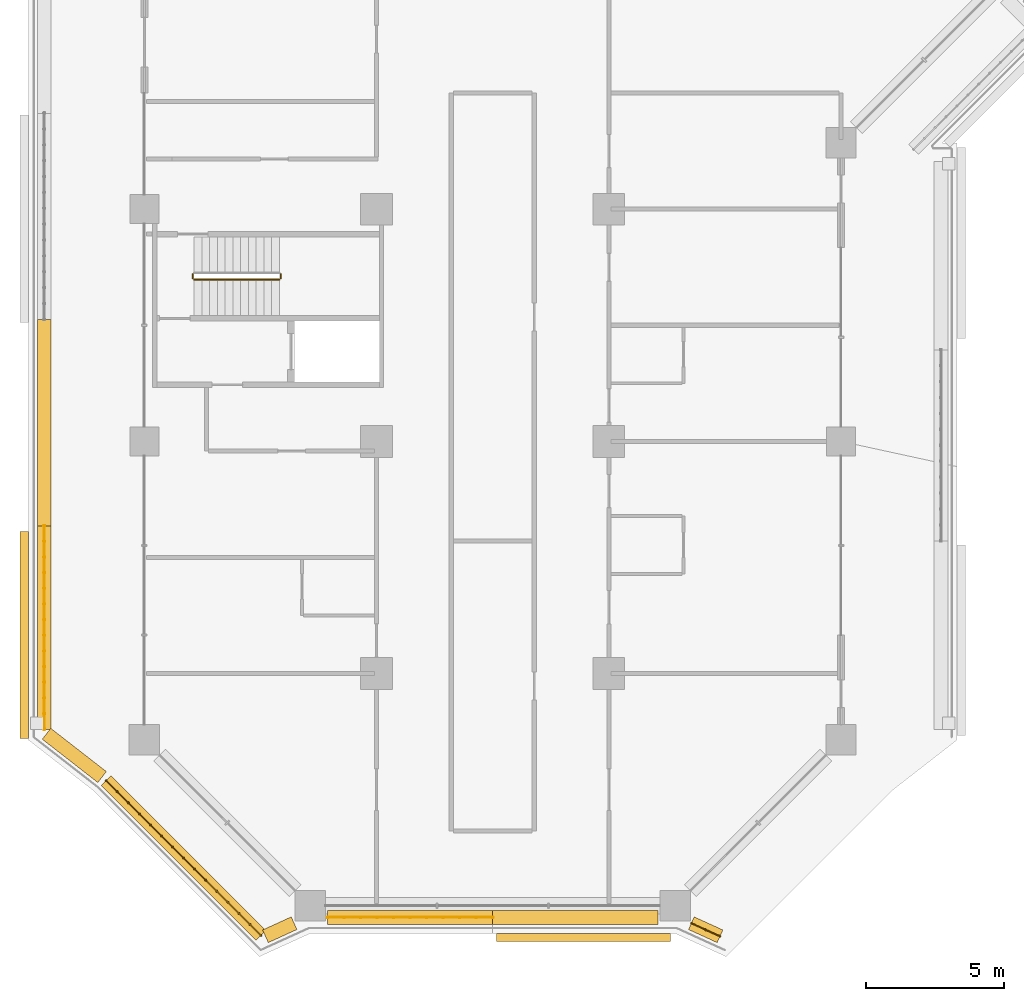
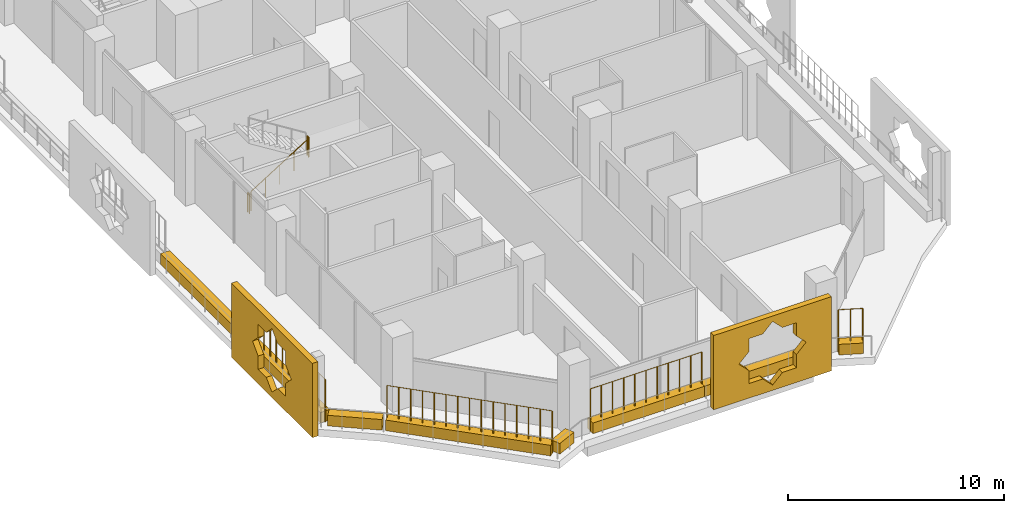
# One storey, part 19 of 25: 10 coverings, 7 railings.
"""IFC4 building model written with IfcOpenShell, lengths in metres."""

from ifc_helpers import new_model, si_unit, direction, frame, origin, origin_2d, place, context, subcontext, project, spatial, polyline, rectangle, circle, outline, extrude, material, material_profile, profile_set, type_object, element, save


model = new_model("IFC4")

# Units and contexts
model_context = context("Model", 3, precision=1e-05, world=origin(), true_north=direction((0.0, 1.0)))
body_context = subcontext(model_context, "Body", "Model", "MODEL_VIEW")
ifc_project = project(units=[si_unit("LENGTHUNIT", "METRE"), si_unit("AREAUNIT", "SQUARE_METRE"), si_unit("VOLUMEUNIT", "CUBIC_METRE"), si_unit("PLANEANGLEUNIT", "RADIAN"), si_unit("MASSUNIT", "GRAM", prefix="KILO")], contexts=[model_context])

# Site, building, storey
site_placement = place(None, origin())
site = spatial("IfcSite", under=ifc_project, at=site_placement, CompositionType="ELEMENT")
building_placement = place(site_placement, origin())
building = spatial("IfcBuilding", under=site, at=building_placement, Name="Kawkab Arch Medical Tower", CompositionType="ELEMENT")
storey_placement = place(building_placement, frame((0.0, 0.0, 140.800048828125)))
storey = spatial("IfcBuildingStorey", under=building, at=storey_placement, Name="L32", CompositionType="ELEMENT", Elevation=140.800048828125)

# Coverings
ifc_material_1 = material(Name="Bronze anodised aluminium mashrabiya panel, eight-point star pattern", Category="aluminium")
ifc_material_profile_1 = material_profile(ifc_material_1, outline(polyline([(-3.14990234375, -2.10009765625), (3.14990234375, -2.10009765625), (3.14990234375, 2.10009765625), (-3.14990234375, 2.10009765625), (-3.14990234375, -2.10009765625)]), holes=[polyline([(1.800048828125, 0.0), (1.272705078125, 0.527099609375), (1.272705078125, 1.272705078125), (0.527099609375, 1.272705078125), (0.0, 1.800048828125), (-0.527099609375, 1.272705078125), (-1.272705078125, 1.272705078125), (-1.272705078125, 0.527099609375), (-1.800048828125, 0.0), (-1.272705078125, -0.527099609375), (-1.272705078125, -1.272705078125), (-0.527099609375, -1.272705078125), (0.0, -1.800048828125), (0.527099609375, -1.272705078125), (1.272705078125, -1.272705078125), (1.272705078125, -0.527099609375), (1.800048828125, 0.0)])]), Name="Mashrabiya panel 6300x4200")
ifc_profile_set_1 = profile_set([ifc_material_profile_1], Name="Bronze anodised aluminium mashrabiya panel, eight-point star pattern")
covering_type_1 = type_object("IfcCoveringType", Name="Mashrabiya panel 6300 x 4200", PredefinedType="USERDEFINED", material=ifc_profile_set_1)
covering_1_placement = place(storey_placement, frame((15.881103515625, -59.800048828125, 1.699951171875), z_axis=(0.0, -1.0, 0.0), x_axis=(1.0, 0.0, 0.0)))
element("IfcCovering", 1, at=covering_1_placement, inside=storey, type_object=covering_type_1, Name="Mashrabiya panel L32.LOG-01-01.1", ObjectType="SCREEN", PredefinedType="USERDEFINED", context=body_context, shape_type="SweptSolid", body=[
    extrude(outline(polyline([(-3.14990234375, -2.10009765625), (3.14990234375, -2.10009765625), (3.14990234375, 2.10009765625), (-3.14990234375, 2.10009765625), (-3.14990234375, -2.10009765625)]), holes=[polyline([(1.800048828125, 0.0), (1.272705078125, 0.527099609375), (1.272705078125, 1.272705078125), (0.527099609375, 1.272705078125), (0.0, 1.800048828125), (-0.527099609375, 1.272705078125), (-1.272705078125, 1.272705078125), (-1.272705078125, 0.527099609375), (-1.800048828125, 0.0), (-1.272705078125, -0.527099609375), (-1.272705078125, -1.272705078125), (-0.527099609375, -1.272705078125), (0.0, -1.800048828125), (0.527099609375, -1.272705078125), (1.272705078125, -1.272705078125), (1.272705078125, -0.527099609375), (1.800048828125, 0.0)])]), origin(), (0.0, 0.0, 1.0), 0.300048828125),
])
ifc_material_2 = material(Name="Bronze anodised aluminium mashrabiya panel, eight-point star pattern", Category="aluminium")
ifc_material_profile_2 = material_profile(ifc_material_2, outline(polyline([(-3.75, -2.10009765625), (3.75, -2.10009765625), (3.75, 2.10009765625), (-3.75, 2.10009765625), (-3.75, -2.10009765625)]), holes=[polyline([(1.800048828125, 0.0), (1.272705078125, 0.527099609375), (1.272705078125, 1.272705078125), (0.527099609375, 1.272705078125), (0.0, 1.800048828125), (-0.527099609375, 1.272705078125), (-1.272705078125, 1.272705078125), (-1.272705078125, 0.527099609375), (-1.800048828125, 0.0), (-1.272705078125, -0.527099609375), (-1.272705078125, -1.272705078125), (-0.527099609375, -1.272705078125), (0.0, -1.800048828125), (0.527099609375, -1.272705078125), (1.272705078125, -1.272705078125), (1.272705078125, -0.527099609375), (1.800048828125, 0.0)])]), Name="Mashrabiya panel 7500x4200")
ifc_profile_set_2 = profile_set([ifc_material_profile_2], Name="Bronze anodised aluminium mashrabiya panel, eight-point star pattern")
covering_type_2 = type_object("IfcCoveringType", Name="Mashrabiya panel 7500 x 4200", PredefinedType="USERDEFINED", material=ifc_profile_set_2)
covering_2_placement = place(storey_placement, frame((-4.199951171875, -49.00439453125, 1.699951171875), z_axis=(-1.0, 0.0, 0.0), x_axis=(0.0, -1.0, 0.0)))
element("IfcCovering", 2, at=covering_2_placement, inside=storey, type_object=covering_type_2, Name="Mashrabiya panel L32.LOG-01-01.2", ObjectType="SCREEN", PredefinedType="USERDEFINED", context=body_context, shape_type="SweptSolid", body=[
    extrude(outline(polyline([(-3.75, -2.10009765625), (3.75, -2.10009765625), (3.75, 2.10009765625), (-3.75, 2.10009765625), (-3.75, -2.10009765625)]), holes=[polyline([(1.800048828125, 0.0), (1.272705078125, 0.527099609375), (1.272705078125, 1.272705078125), (0.527099609375, 1.272705078125), (0.0, 1.800048828125), (-0.527099609375, 1.272705078125), (-1.272705078125, 1.272705078125), (-1.272705078125, 0.527099609375), (-1.800048828125, 0.0), (-1.272705078125, -0.527099609375), (-1.272705078125, -1.272705078125), (-0.527099609375, -1.272705078125), (0.0, -1.800048828125), (0.527099609375, -1.272705078125), (1.272705078125, -1.272705078125), (1.272705078125, -0.527099609375), (1.800048828125, 0.0)])]), origin(), (0.0, 0.0, 1.0), 0.300048828125),
])
ifc_material_3 = material(Name="Planting soil in a precast trough", Category="concrete")
ifc_material_profile_3 = material_profile(ifc_material_3, rectangle(XDim=0.5, YDim=0.60009765625, at=origin_2d()), Name="Trough 500x600")
ifc_profile_set_3 = profile_set([ifc_material_profile_3], Name="Planting soil in a precast trough")
covering_type_3 = type_object("IfcCoveringType", Name="Planter trough 500 x 600", PredefinedType="USERDEFINED", material=ifc_profile_set_3)
covering_3_placement = place(storey_placement, frame((20.821044921875, -59.902099609375, 0.300048828125), z_axis=(-0.909821891123, 0.414998947508, 0.0), x_axis=(-0.414998947508, -0.909821891123, 0.0)))
element("IfcCovering", 3, at=covering_3_placement, inside=storey, type_object=covering_type_3, Name="Planter L32.LOG-01-01.1", ObjectType="PLANTER", PredefinedType="USERDEFINED", context=body_context, shape_type="SweptSolid", body=[
    extrude(rectangle(XDim=0.5, YDim=0.60009765625, at=origin_2d()), origin(), (0.0, 0.0, 1.0), 1.1376953125),
])
covering_4_placement = place(storey_placement, frame((18.570068359375, -59.219970703125, 0.300048828125), z_axis=(-1.0, 0.0, 0.0), x_axis=(0.0, -1.0, 0.0)))
element("IfcCovering", 4, at=covering_4_placement, inside=storey, type_object=covering_type_3, Name="Planter L32.LOG-01-01.2", ObjectType="PLANTER", PredefinedType="USERDEFINED", context=body_context, shape_type="SweptSolid", body=[
    extrude(rectangle(XDim=0.5, YDim=0.60009765625, at=origin_2d()), origin(), (0.0, 0.0, 1.0), 5.969970703125),
])
covering_5_placement = place(storey_placement, frame((12.60009765625, -59.219970703125, 0.300048828125), z_axis=(-1.0, 0.0, 0.0), x_axis=(0.0, -1.0, 0.0)))
element("IfcCovering", 5, at=covering_5_placement, inside=storey, type_object=covering_type_3, Name="Planter L32.LOG-01-01.3", ObjectType="PLANTER", PredefinedType="USERDEFINED", context=body_context, shape_type="SweptSolid", body=[
    extrude(rectangle(XDim=0.5, YDim=0.60009765625, at=origin_2d()), origin(), (0.0, 0.0, 1.0), 5.97021484375),
])
covering_6_placement = place(storey_placement, frame((5.4140625, -59.429931640625, 0.300048828125), z_axis=(-0.909821891123, -0.414998947508, 0.0), x_axis=(0.414998947508, -0.909821891123, 0.0)))
element("IfcCovering", 6, at=covering_6_placement, inside=storey, type_object=covering_type_3, Name="Planter L32.LOG-01-01.4", ObjectType="PLANTER", PredefinedType="USERDEFINED", context=body_context, shape_type="SweptSolid", body=[
    extrude(rectangle(XDim=0.5, YDim=0.60009765625, at=origin_2d()), origin(), (0.0, 0.0, 1.0), 1.1376953125),
])
covering_7_placement = place(storey_placement, frame((4.217041015625, -59.873046875, 0.300048828125), z_axis=(-0.707106781187, 0.707106781187, 0.0), x_axis=(-0.707106781187, -0.707106781187, 0.0)))
element("IfcCovering", 7, at=covering_7_placement, inside=storey, type_object=covering_type_3, Name="Planter L32.LOG-01-01.5", ObjectType="PLANTER", PredefinedType="USERDEFINED", context=body_context, shape_type="SweptSolid", body=[
    extrude(rectangle(XDim=0.5, YDim=0.60009765625, at=origin_2d()), origin(), (0.0, 0.0, 1.0), 7.919677734375),
])
covering_8_placement = place(storey_placement, frame((-1.531982421875, -54.14111328125, 0.300048828125), z_axis=(-0.789228258436, 0.614099956103, 0.0), x_axis=(-0.614099956103, -0.789228258436, 0.0)))
element("IfcCovering", 8, at=covering_8_placement, inside=storey, type_object=covering_type_3, Name="Planter L32.LOG-01-01.6", ObjectType="PLANTER", PredefinedType="USERDEFINED", context=body_context, shape_type="SweptSolid", body=[
    extrude(rectangle(XDim=0.5, YDim=0.60009765625, at=origin_2d()), origin(), (0.0, 0.0, 1.0), 2.545654296875),
])
covering_9_placement = place(storey_placement, frame((-3.6201171875, -52.416015625, 0.300048828125), z_axis=(0.0, 1.0, 0.0), x_axis=(-1.0, 0.0, 0.0)))
element("IfcCovering", 9, at=covering_9_placement, inside=storey, type_object=covering_type_3, Name="Planter L32.LOG-01-01.7", ObjectType="PLANTER", PredefinedType="USERDEFINED", context=body_context, shape_type="SweptSolid", body=[
    extrude(rectangle(XDim=0.5, YDim=0.60009765625, at=origin_2d()), origin(), (0.0, 0.0, 1.0), 7.361083984375),
])
covering_10_placement = place(storey_placement, frame((-3.6201171875, -45.054931640625, 0.300048828125), z_axis=(0.0, 1.0, 0.0), x_axis=(-1.0, 0.0, 0.0)))
element("IfcCovering", 10, at=covering_10_placement, inside=storey, type_object=covering_type_3, Name="Planter L32.LOG-01-01.8", ObjectType="PLANTER", PredefinedType="USERDEFINED", context=body_context, shape_type="SweptSolid", body=[
    extrude(rectangle(XDim=0.5, YDim=0.60009765625, at=origin_2d()), origin(), (0.0, 0.0, 1.0), 7.4619140625),
])

# Railings
ifc_material_4 = material(Name="Bronze anodised aluminium trellis for climbing plants", Category="aluminium")
railing_type_1 = type_object("IfcRailingType", Name="Planting trellis 2400", PredefinedType="USERDEFINED", material=ifc_material_4)
railing_1_placement = place(storey_placement, frame((20.821044921875, -59.902099609375, 0.0)))
element("IfcRailing", 11, at=railing_1_placement, inside=storey, type_object=railing_type_1, Name="Planting trellis L32.LOG-01-01.1", ObjectType="TRELLIS", PredefinedType="USERDEFINED", context=body_context, shape_type="SweptSolid", body=[
    extrude(circle(Radius=0.01513671875, at=origin_2d()), frame((0.0, 0.0, 2.384765625), z_axis=(-0.909821891123, 0.414998947508, 0.0), x_axis=(-0.414998947508, -0.909821891123, 0.0)), (0.0, 0.0, 1.0), 1.1376953125),
    extrude(circle(Radius=0.030029296875, at=origin_2d()), origin(), (0.0, 0.0, 1.0), 2.369873046875),
    extrude(circle(Radius=0.030029296875, at=origin_2d()), frame((-0.517578125, 0.236083984375, 0.0)), (0.0, 0.0, 1.0), 2.369873046875),
    extrude(circle(Radius=0.030029296875, at=origin_2d()), frame((-1.03515625, 0.47216796875, 0.0)), (0.0, 0.0, 1.0), 2.369873046875),
])
railing_2_placement = place(storey_placement, frame((12.60009765625, -59.219970703125, 0.0)))
element("IfcRailing", 12, at=railing_2_placement, inside=storey, type_object=railing_type_1, Name="Planting trellis L32.LOG-01-01.3", ObjectType="TRELLIS", PredefinedType="USERDEFINED", context=body_context, shape_type="SweptSolid", body=[
    extrude(circle(Radius=0.01513671875, at=origin_2d()), frame((0.0, 0.0, 2.384765625), z_axis=(-1.0, 0.0, 0.0), x_axis=(0.0, -1.0, 0.0)), (0.0, 0.0, 1.0), 5.97021484375),
    extrude(circle(Radius=0.030029296875, at=origin_2d()), origin(), (0.0, 0.0, 1.0), 2.369873046875),
    extrude(circle(Radius=0.030029296875, at=origin_2d()), frame((-0.596923828125, 0.0, 0.0)), (0.0, 0.0, 1.0), 2.369873046875),
    extrude(circle(Radius=0.030029296875, at=origin_2d()), frame((-1.194091796875, 0.0, 0.0)), (0.0, 0.0, 1.0), 2.369873046875),
    extrude(circle(Radius=0.030029296875, at=origin_2d()), frame((-1.791015625, 0.0, 0.0)), (0.0, 0.0, 1.0), 2.369873046875),
    extrude(circle(Radius=0.030029296875, at=origin_2d()), frame((-2.38818359375, 0.0, 0.0)), (0.0, 0.0, 1.0), 2.369873046875),
    extrude(circle(Radius=0.030029296875, at=origin_2d()), frame((-2.985107421875, 0.0, 0.0)), (0.0, 0.0, 1.0), 2.369873046875),
    extrude(circle(Radius=0.030029296875, at=origin_2d()), frame((-3.58203125, 0.0, 0.0)), (0.0, 0.0, 1.0), 2.369873046875),
    extrude(circle(Radius=0.030029296875, at=origin_2d()), frame((-4.17919921875, 0.0, 0.0)), (0.0, 0.0, 1.0), 2.369873046875),
    extrude(circle(Radius=0.030029296875, at=origin_2d()), frame((-4.776123046875, 0.0, 0.0)), (0.0, 0.0, 1.0), 2.369873046875),
    extrude(circle(Radius=0.030029296875, at=origin_2d()), frame((-5.373291015625, 0.0, 0.0)), (0.0, 0.0, 1.0), 2.369873046875),
    extrude(circle(Radius=0.030029296875, at=origin_2d()), frame((-5.97021484375, 0.0, 0.0)), (0.0, 0.0, 1.0), 2.369873046875),
])
railing_3_placement = place(storey_placement, frame((4.217041015625, -59.873046875, 0.0)))
element("IfcRailing", 13, at=railing_3_placement, inside=storey, type_object=railing_type_1, Name="Planting trellis L32.LOG-01-01.5", ObjectType="TRELLIS", PredefinedType="USERDEFINED", context=body_context, shape_type="SweptSolid", body=[
    extrude(circle(Radius=0.01513671875, at=origin_2d()), frame((0.0, 0.0, 2.384765625), z_axis=(-0.707106781187, 0.707106781187, 0.0), x_axis=(-0.707106781187, -0.707106781187, 0.0)), (0.0, 0.0, 1.0), 7.919677734375),
    extrude(circle(Radius=0.030029296875, at=origin_2d()), origin(), (0.0, 0.0, 1.0), 2.369873046875),
    extrude(circle(Radius=0.030029296875, at=origin_2d()), frame((-0.39990234375, 0.39990234375, 0.0)), (0.0, 0.0, 1.0), 2.369873046875),
    extrude(circle(Radius=0.030029296875, at=origin_2d()), frame((-0.800048828125, 0.800048828125, 0.0)), (0.0, 0.0, 1.0), 2.369873046875),
    extrude(circle(Radius=0.030029296875, at=origin_2d()), frame((-1.199951171875, 1.199951171875, 0.0)), (0.0, 0.0, 1.0), 2.369873046875),
    extrude(circle(Radius=0.030029296875, at=origin_2d()), frame((-1.60009765625, 1.60009765625, 0.0)), (0.0, 0.0, 1.0), 2.369873046875),
    extrude(circle(Radius=0.030029296875, at=origin_2d()), frame((-2.0, 2.0, 0.0)), (0.0, 0.0, 1.0), 2.369873046875),
    extrude(circle(Radius=0.030029296875, at=origin_2d()), frame((-2.400146484375, 2.400146484375, 0.0)), (0.0, 0.0, 1.0), 2.369873046875),
    extrude(circle(Radius=0.030029296875, at=origin_2d()), frame((-2.800048828125, 2.800048828125, 0.0)), (0.0, 0.0, 1.0), 2.369873046875),
    extrude(circle(Radius=0.030029296875, at=origin_2d()), frame((-3.199951171875, 3.199951171875, 0.0)), (0.0, 0.0, 1.0), 2.369873046875),
    extrude(circle(Radius=0.030029296875, at=origin_2d()), frame((-3.60009765625, 3.60009765625, 0.0)), (0.0, 0.0, 1.0), 2.369873046875),
    extrude(circle(Radius=0.030029296875, at=origin_2d()), frame((-4.0, 4.0, 0.0)), (0.0, 0.0, 1.0), 2.369873046875),
    extrude(circle(Radius=0.030029296875, at=origin_2d()), frame((-4.400146484375, 4.400146484375, 0.0)), (0.0, 0.0, 1.0), 2.369873046875),
    extrude(circle(Radius=0.030029296875, at=origin_2d()), frame((-4.800048828125, 4.800048828125, 0.0)), (0.0, 0.0, 1.0), 2.369873046875),
    extrude(circle(Radius=0.030029296875, at=origin_2d()), frame((-5.2001953125, 5.2001953125, 0.0)), (0.0, 0.0, 1.0), 2.369873046875),
    extrude(circle(Radius=0.030029296875, at=origin_2d()), frame((-5.60009765625, 5.60009765625, 0.0)), (0.0, 0.0, 1.0), 2.369873046875),
])
railing_4_placement = place(storey_placement, frame((-3.6201171875, -52.416015625, 0.0)))
element("IfcRailing", 14, at=railing_4_placement, inside=storey, type_object=railing_type_1, Name="Planting trellis L32.LOG-01-01.7", ObjectType="TRELLIS", PredefinedType="USERDEFINED", context=body_context, shape_type="SweptSolid", body=[
    extrude(circle(Radius=0.01513671875, at=origin_2d()), frame((0.0, 0.0, 2.384765625), z_axis=(0.0, 1.0, 0.0), x_axis=(-1.0, 0.0, 0.0)), (0.0, 0.0, 1.0), 7.361083984375),
    extrude(circle(Radius=0.030029296875, at=origin_2d()), origin(), (0.0, 0.0, 1.0), 2.369873046875),
    extrude(circle(Radius=0.030029296875, at=origin_2d()), frame((0.0, 0.566162109375, 0.0)), (0.0, 0.0, 1.0), 2.369873046875),
    extrude(circle(Radius=0.030029296875, at=origin_2d()), frame((0.0, 1.132568359375, 0.0)), (0.0, 0.0, 1.0), 2.369873046875),
    extrude(circle(Radius=0.030029296875, at=origin_2d()), frame((0.0, 1.69873046875, 0.0)), (0.0, 0.0, 1.0), 2.369873046875),
    extrude(circle(Radius=0.030029296875, at=origin_2d()), frame((0.0, 2.264892578125, 0.0)), (0.0, 0.0, 1.0), 2.369873046875),
    extrude(circle(Radius=0.030029296875, at=origin_2d()), frame((0.0, 2.831298828125, 0.0)), (0.0, 0.0, 1.0), 2.369873046875),
    extrude(circle(Radius=0.030029296875, at=origin_2d()), frame((0.0, 3.3974609375, 0.0)), (0.0, 0.0, 1.0), 2.369873046875),
    extrude(circle(Radius=0.030029296875, at=origin_2d()), frame((0.0, 3.963623046875, 0.0)), (0.0, 0.0, 1.0), 2.369873046875),
    extrude(circle(Radius=0.030029296875, at=origin_2d()), frame((0.0, 4.52978515625, 0.0)), (0.0, 0.0, 1.0), 2.369873046875),
    extrude(circle(Radius=0.030029296875, at=origin_2d()), frame((0.0, 5.09619140625, 0.0)), (0.0, 0.0, 1.0), 2.369873046875),
    extrude(circle(Radius=0.030029296875, at=origin_2d()), frame((0.0, 5.662353515625, 0.0)), (0.0, 0.0, 1.0), 2.369873046875),
    extrude(circle(Radius=0.030029296875, at=origin_2d()), frame((0.0, 6.228515625, 0.0)), (0.0, 0.0, 1.0), 2.369873046875),
    extrude(circle(Radius=0.030029296875, at=origin_2d()), frame((0.0, 6.794921875, 0.0)), (0.0, 0.0, 1.0), 2.369873046875),
    extrude(circle(Radius=0.030029296875, at=origin_2d()), frame((0.0, 7.361083984375, 0.0)), (0.0, 0.0, 1.0), 2.369873046875),
])
ifc_material_5 = material(Name="Stainless steel", Category="steel")
railing_type_2 = type_object("IfcRailingType", Name="Stair guard 1100", PredefinedType="GUARDRAIL", material=ifc_material_5)
railing_5_placement = place(storey_placement, frame((1.800048828125, -36.14990234375, 0.175048828125)))
element("IfcRailing", 15, at=railing_5_placement, inside=storey, type_object=railing_type_2, Name="L32 ST6 stair guard 1", PredefinedType="GUARDRAIL", context=body_context, shape_type="SweptSolid", body=[
    extrude(circle(Radius=0.02392578125, at=origin_2d()), frame((0.0, 0.0, 1.076171875), z_axis=(0.848009633417, 0.0, 0.529980812513), x_axis=(0.0, 1.0, 0.0)), (0.0, 0.0, 1.0), 3.6318359375),
    extrude(circle(Radius=0.02099609375, at=origin_2d()), origin(), (0.0, 0.0, 1.0), 1.052001953125),
    extrude(circle(Radius=0.02099609375, at=origin_2d()), frame((0.77001953125, 0.0, 0.481201171875)), (0.0, 0.0, 1.0), 1.052001953125),
    extrude(circle(Radius=0.02099609375, at=origin_2d()), frame((1.5400390625, 0.0, 0.96240234375)), (0.0, 0.0, 1.0), 1.052001953125),
    extrude(circle(Radius=0.02099609375, at=origin_2d()), frame((2.309814453125, 0.0, 1.443603515625)), (0.0, 0.0, 1.0), 1.052001953125),
    extrude(circle(Radius=0.02099609375, at=origin_2d()), frame((3.079833984375, 0.0, 1.9248046875)), (0.0, 0.0, 1.0), 1.052001953125),
])
for number, where, name in (
    (16, (4.929931640625, -36.10009765625, 2.099853515625), "L32 ST6 stair guard 2"),
    (17, (1.75, -36.10009765625, 0.0), "L32 ST6 stair guard 4"),
):
    element("IfcRailing", number, at=place(storey_placement, frame(where)), inside=storey, type_object=railing_type_2, Name=name, PredefinedType="GUARDRAIL", context=body_context, shape_type="SweptSolid", body=[
        extrude(circle(Radius=0.02392578125, at=origin_2d()), frame((0.0, 0.0, 1.076171875), z_axis=(0.0, 1.0, 0.0), x_axis=(-1.0, 0.0, 0.0)), (0.0, 0.0, 1.0), 0.150146484375),
        extrude(circle(Radius=0.02099609375, at=origin_2d()), origin(), (0.0, 0.0, 1.0), 1.052001953125),
        extrude(circle(Radius=0.02099609375, at=origin_2d()), frame((0.0, 0.150146484375, 0.0)), (0.0, 0.0, 1.0), 1.052001953125),
    ])

save(model, "model.ifc")
